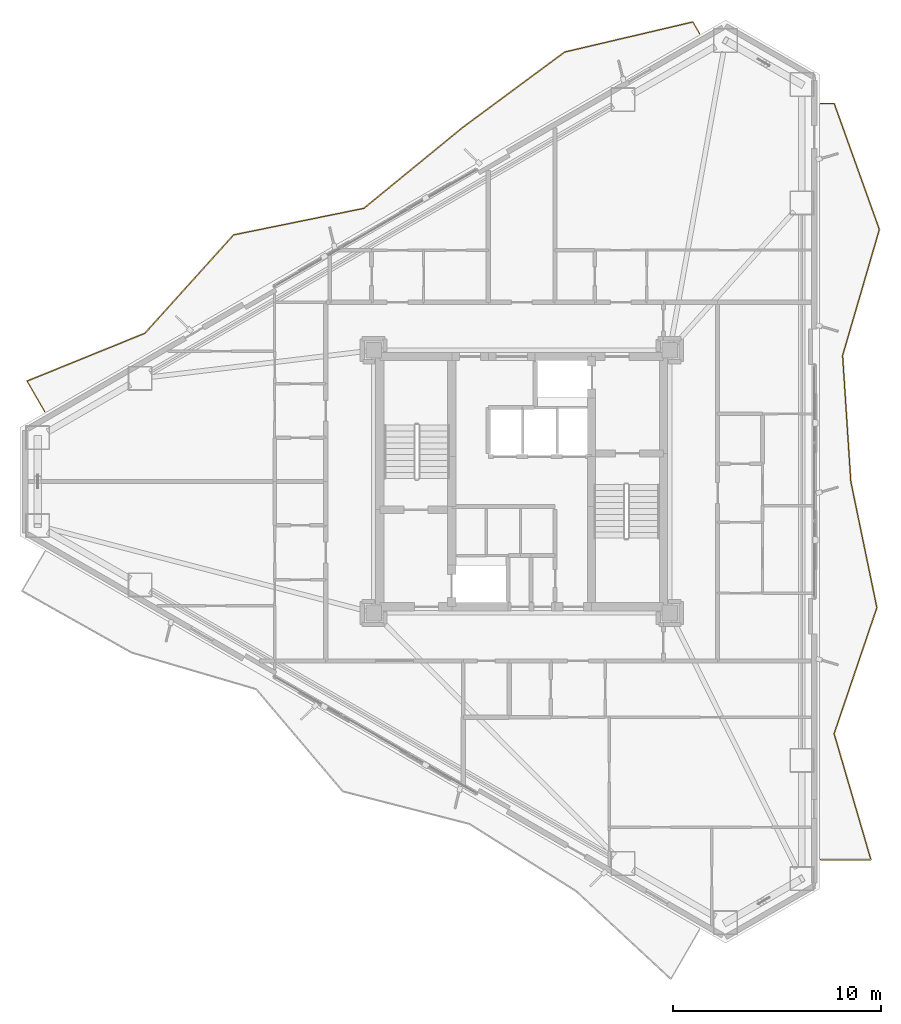
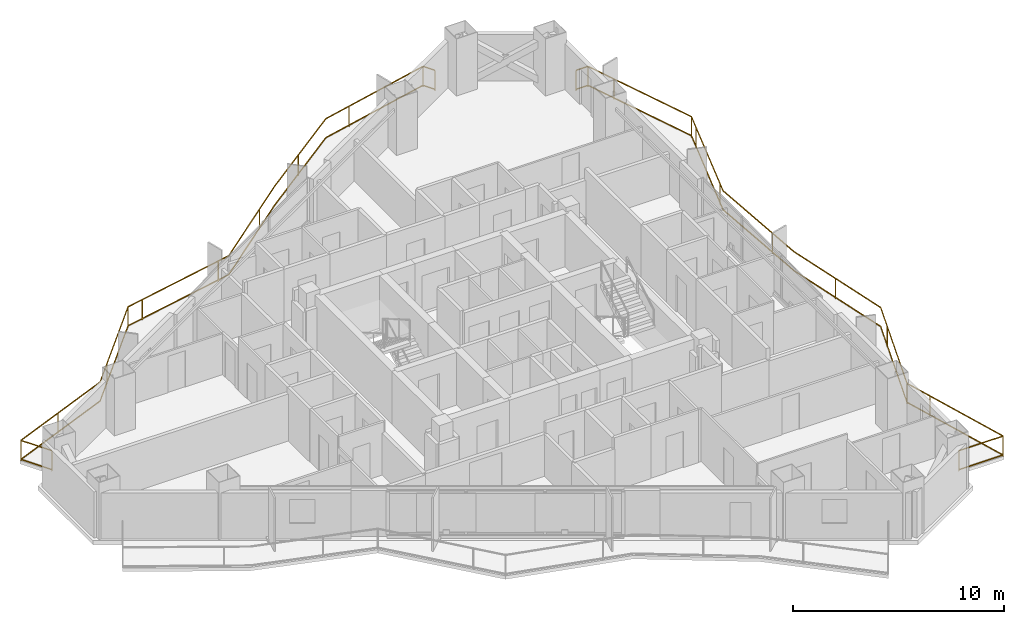
# One storey, part 22 of 22: 2 railings.
"""IFC4 building model written with IfcOpenShell, lengths in metres."""

from ifc_helpers import new_model, si_unit, direction, frame, origin, origin_2d, place, context, subcontext, project, spatial, rectangle, extrude, material, type_object, element, save


model = new_model("IFC4")

# Units and contexts
model_context = context("Model", 3, precision=1e-05, world=origin(), true_north=direction((0.0, 1.0)))
body_context = subcontext(model_context, "Body", "Model", "MODEL_VIEW")
ifc_project = project(units=[si_unit("LENGTHUNIT", "METRE"), si_unit("AREAUNIT", "SQUARE_METRE"), si_unit("VOLUMEUNIT", "CUBIC_METRE"), si_unit("PLANEANGLEUNIT", "RADIAN"), si_unit("MASSUNIT", "GRAM", prefix="KILO")], contexts=[model_context])

# Site, building, storey
site_placement = place(None, origin())
site = spatial("IfcSite", under=ifc_project, at=site_placement, CompositionType="ELEMENT")
building_placement = place(site_placement, origin())
building = spatial("IfcBuilding", under=site, at=building_placement, Name="Mersakhor Tower and Convention Hall", CompositionType="ELEMENT")
storey_placement = place(building_placement, frame((0.0, 0.0, 103.199951171875)))
storey = spatial("IfcBuildingStorey", under=building, at=storey_placement, Name="L28", CompositionType="ELEMENT", Elevation=103.199951171875)

# Railings
ifc_material = material(Name="Powder-coated galvanised steel and laminated glass balustrade", Category="steel")
railing_type = type_object("IfcRailingType", Name="RL-BAL-1200", PredefinedType="BALUSTRADE", material=ifc_material)
railing_1_placement = place(storey_placement, frame((37.541259765625, 48.2333984375, 0.0)))
element("IfcRailing", 1, at=railing_1_placement, inside=storey, type_object=railing_type, Name="L28 Sinusoidal Balcony Balustrade F1", PredefinedType="BALUSTRADE", context=body_context, shape_type="SweptSolid", body=[
    extrude(rectangle(XDim=0.048095703125, YDim=0.048095703125, at=origin_2d()), frame((0.0, 0.0, 1.17578125), z_axis=(-0.49989585183, 0.866085525409, 0.0), x_axis=(-0.866085525409, -0.49989585183, 0.0)), (0.0, 0.0, 1.0), 0.650146484375),
    extrude(rectangle(XDim=0.048095703125, YDim=0.048095703125, at=origin_2d()), frame((0.0, 0.0, 0.080078125), z_axis=(-0.49989585183, 0.866085525409, 0.0), x_axis=(-0.866085525409, -0.49989585183, 0.0)), (0.0, 0.0, 1.0), 0.650146484375),
    extrude(rectangle(XDim=0.048095703125, YDim=0.048095703125, at=origin_2d()), frame((-0.324951171875, 0.56298828125, 1.17578125), z_axis=(-0.97355185743, -0.228466148245, 0.0), x_axis=(0.228466148245, -0.97355185743, 0.0)), (0.0, 0.0, 1.0), 6.3154296875),
    extrude(rectangle(XDim=0.048095703125, YDim=0.048095703125, at=origin_2d()), frame((-0.324951171875, 0.56298828125, 0.080078125), z_axis=(-0.97355185743, -0.228466148245, 0.0), x_axis=(0.228466148245, -0.97355185743, 0.0)), (0.0, 0.0, 1.0), 6.3154296875),
    extrude(rectangle(XDim=0.048095703125, YDim=0.048095703125, at=origin_2d()), frame((-6.473388671875, -0.8798828125, 1.17578125), z_axis=(-0.804059393295, -0.594548982048, 0.0), x_axis=(0.594548982048, -0.804059393295, 0.0)), (0.0, 0.0, 1.0), 6.085205078125),
    extrude(rectangle(XDim=0.048095703125, YDim=0.048095703125, at=origin_2d()), frame((-6.473388671875, -0.8798828125, 0.080078125), z_axis=(-0.804059393295, -0.594548982048, 0.0), x_axis=(0.594548982048, -0.804059393295, 0.0)), (0.0, 0.0, 1.0), 6.085205078125),
    extrude(rectangle(XDim=0.048095703125, YDim=0.048095703125, at=origin_2d()), frame((-11.3662109375, -4.497802734375, 1.17578125), z_axis=(-0.773987480996, -0.633200899605, 0.0), x_axis=(0.633200899605, -0.773987480996, 0.0)), (0.0, 0.0, 1.0), 6.126708984375),
    extrude(rectangle(XDim=0.048095703125, YDim=0.048095703125, at=origin_2d()), frame((-11.3662109375, -4.497802734375, 0.080078125), z_axis=(-0.773987480996, -0.633200899605, 0.0), x_axis=(0.633200899605, -0.773987480996, 0.0)), (0.0, 0.0, 1.0), 6.126708984375),
    extrude(rectangle(XDim=0.048095703125, YDim=0.048095703125, at=origin_2d()), frame((-16.108154296875, -8.377197265625, 1.17578125), z_axis=(-0.979861287663, -0.199679385362, 0.0), x_axis=(0.199679385362, -0.979861287663, 0.0)), (0.0, 0.0, 1.0), 6.375),
    extrude(rectangle(XDim=0.048095703125, YDim=0.048095703125, at=origin_2d()), frame((-16.108154296875, -8.377197265625, 0.080078125), z_axis=(-0.979861287663, -0.199679385362, 0.0), x_axis=(0.199679385362, -0.979861287663, 0.0)), (0.0, 0.0, 1.0), 6.375),
    extrude(rectangle(XDim=0.048095703125, YDim=0.048095703125, at=origin_2d()), frame((-22.354736328125, -9.650146484375, 1.17578125), z_axis=(-0.66963295377, -0.742692202211, 0.0), x_axis=(0.742692202211, -0.66963295377, 0.0)), (0.0, 0.0, 1.0), 6.35595703125),
    extrude(rectangle(XDim=0.048095703125, YDim=0.048095703125, at=origin_2d()), frame((-22.354736328125, -9.650146484375, 0.080078125), z_axis=(-0.66963295377, -0.742692202211, 0.0), x_axis=(0.742692202211, -0.66963295377, 0.0)), (0.0, 0.0, 1.0), 6.35595703125),
    extrude(rectangle(XDim=0.048095703125, YDim=0.048095703125, at=origin_2d()), frame((-26.61083984375, -14.37060546875, 1.17578125), z_axis=(-0.926578103575, -0.376102403575, 0.0), x_axis=(0.376102403575, -0.926578103575, 0.0)), (0.0, 0.0, 1.0), 6.1044921875),
    extrude(rectangle(XDim=0.048095703125, YDim=0.048095703125, at=origin_2d()), frame((-26.61083984375, -14.37060546875, 0.080078125), z_axis=(-0.926578103575, -0.376102403575, 0.0), x_axis=(0.376102403575, -0.926578103575, 0.0)), (0.0, 0.0, 1.0), 6.1044921875),
    extrude(rectangle(XDim=0.048095703125, YDim=0.048095703125, at=origin_2d()), frame((-32.26708984375, -16.66650390625, 1.17578125), z_axis=(0.499954529098, -0.86605165483, 0.0), x_axis=(0.86605165483, 0.499954529098, 0.0)), (0.0, 0.0, 1.0), 1.699951171875),
    extrude(rectangle(XDim=0.048095703125, YDim=0.048095703125, at=origin_2d()), frame((-32.26708984375, -16.66650390625, 0.080078125), z_axis=(0.499954529098, -0.86605165483, 0.0), x_axis=(0.86605165483, 0.499954529098, 0.0)), (0.0, 0.0, 1.0), 1.699951171875),
    extrude(rectangle(XDim=0.0419921875, YDim=0.0419921875, at=origin_2d()), origin(), (0.0, 0.0, 1.0), 1.15185546875),
    extrude(rectangle(XDim=0.0419921875, YDim=0.0419921875, at=origin_2d()), frame((-0.324951171875, 0.56298828125, 0.0)), (0.0, 0.0, 1.0), 1.15185546875),
    extrude(rectangle(XDim=0.0419921875, YDim=0.0419921875, at=origin_2d()), frame((-4.998046875, -0.53369140625, 0.0)), (0.0, 0.0, 1.0), 1.15185546875),
    extrude(rectangle(XDim=0.0419921875, YDim=0.0419921875, at=origin_2d()), frame((-9.1142578125, -2.832763671875, 0.0)), (0.0, 0.0, 1.0), 1.15185546875),
    extrude(rectangle(XDim=0.0419921875, YDim=0.0419921875, at=origin_2d()), frame((-12.913818359375, -5.763916015625, 0.0)), (0.0, 0.0, 1.0), 1.15185546875),
    extrude(rectangle(XDim=0.0419921875, YDim=0.0419921875, at=origin_2d()), frame((-16.767333984375, -8.511474609375, 0.0)), (0.0, 0.0, 1.0), 1.15185546875),
    extrude(rectangle(XDim=0.0419921875, YDim=0.0419921875, at=origin_2d()), frame((-21.470703125, -9.469970703125, 0.0)), (0.0, 0.0, 1.0), 1.15185546875),
    extrude(rectangle(XDim=0.0419921875, YDim=0.0419921875, at=origin_2d()), frame((-22.354736328125, -9.650146484375, 0.0)), (0.0, 0.0, 1.0), 1.15185546875),
    extrude(rectangle(XDim=0.0419921875, YDim=0.0419921875, at=origin_2d()), frame((-25.569091796875, -13.215087890625, 0.0)), (0.0, 0.0, 1.0), 1.15185546875),
    extrude(rectangle(XDim=0.0419921875, YDim=0.0419921875, at=origin_2d()), frame((-29.61669921875, -15.5908203125, 0.0)), (0.0, 0.0, 1.0), 1.15185546875),
    extrude(rectangle(XDim=0.0419921875, YDim=0.0419921875, at=origin_2d()), frame((-32.26708984375, -16.66650390625, 0.0)), (0.0, 0.0, 1.0), 1.15185546875),
    extrude(rectangle(XDim=0.0419921875, YDim=0.0419921875, at=origin_2d()), frame((-31.417236328125, -18.138671875, 0.0)), (0.0, 0.0, 1.0), 1.15185546875),
])
railing_2_placement = place(storey_placement, frame((43.334716796875, 8.611328125, 0.0)))
element("IfcRailing", 2, at=railing_2_placement, inside=storey, type_object=railing_type, Name="L28 Sinusoidal Balcony Balustrade F2", PredefinedType="BALUSTRADE", context=body_context, shape_type="SweptSolid", body=[
    extrude(rectangle(XDim=0.048095703125, YDim=0.048095703125, at=origin_2d()), frame((0.0, 0.0, 1.17578125), z_axis=(1.0, 0.0, 0.0), x_axis=(0.0, 1.0, 0.0)), (0.0, 0.0, 1.0), 2.415283203125),
    extrude(rectangle(XDim=0.048095703125, YDim=0.048095703125, at=origin_2d()), frame((0.0, 0.0, 0.080078125), z_axis=(1.0, 0.0, 0.0), x_axis=(0.0, 1.0, 0.0)), (0.0, 0.0, 1.0), 2.415283203125),
    extrude(rectangle(XDim=0.048095703125, YDim=0.048095703125, at=origin_2d()), frame((2.415283203125, 0.0, 1.17578125), z_axis=(-0.280281300323, 0.959917909349, 0.0), x_axis=(-0.959917909349, -0.280281300323, 0.0)), (0.0, 0.0, 1.0), 6.298583984375),
    extrude(rectangle(XDim=0.048095703125, YDim=0.048095703125, at=origin_2d()), frame((2.415283203125, 0.0, 0.080078125), z_axis=(-0.280281300323, 0.959917909349, 0.0), x_axis=(-0.959917909349, -0.280281300323, 0.0)), (0.0, 0.0, 1.0), 6.298583984375),
    extrude(rectangle(XDim=0.048095703125, YDim=0.048095703125, at=origin_2d()), frame((0.64990234375, 6.046142578125, 1.17578125), z_axis=(0.321270627055, 0.946987425572, 0.0), x_axis=(-0.946987425572, 0.321270627055, 0.0)), (0.0, 0.0, 1.0), 6.384765625),
    extrude(rectangle(XDim=0.048095703125, YDim=0.048095703125, at=origin_2d()), frame((0.64990234375, 6.046142578125, 0.080078125), z_axis=(0.321270627055, 0.946987425572, 0.0), x_axis=(-0.946987425572, 0.321270627055, 0.0)), (0.0, 0.0, 1.0), 6.384765625),
    extrude(rectangle(XDim=0.048095703125, YDim=0.048095703125, at=origin_2d()), frame((2.701171875, 12.092529296875, 1.17578125), z_axis=(-0.202537609976, 0.979274484782, 0.0), x_axis=(-0.979274484782, -0.202537609976, 0.0)), (0.0, 0.0, 1.0), 6.174072265625),
    extrude(rectangle(XDim=0.048095703125, YDim=0.048095703125, at=origin_2d()), frame((2.701171875, 12.092529296875, 0.080078125), z_axis=(-0.202537609976, 0.979274484782, 0.0), x_axis=(-0.979274484782, -0.202537609976, 0.0)), (0.0, 0.0, 1.0), 6.174072265625),
    extrude(rectangle(XDim=0.048095703125, YDim=0.048095703125, at=origin_2d()), frame((1.45068359375, 18.138671875, 1.17578125), z_axis=(-0.064914280211, 0.997890843842, 0.0), x_axis=(-0.997890843842, -0.064914280211, 0.0)), (0.0, 0.0, 1.0), 6.058837890625),
    extrude(rectangle(XDim=0.048095703125, YDim=0.048095703125, at=origin_2d()), frame((1.45068359375, 18.138671875, 0.080078125), z_axis=(-0.064914280211, 0.997890843842, 0.0), x_axis=(-0.997890843842, -0.064914280211, 0.0)), (0.0, 0.0, 1.0), 6.058837890625),
    extrude(rectangle(XDim=0.048095703125, YDim=0.048095703125, at=origin_2d()), frame((1.057373046875, 24.184814453125, 1.17578125), z_axis=(0.279842208474, 0.960046008458, 0.0), x_axis=(-0.960046008458, 0.279842208474, 0.0)), (0.0, 0.0, 1.0), 6.298095703125),
    extrude(rectangle(XDim=0.048095703125, YDim=0.048095703125, at=origin_2d()), frame((1.057373046875, 24.184814453125, 0.080078125), z_axis=(0.279842208474, 0.960046008458, 0.0), x_axis=(-0.960046008458, 0.279842208474, 0.0)), (0.0, 0.0, 1.0), 6.298095703125),
    extrude(rectangle(XDim=0.048095703125, YDim=0.048095703125, at=origin_2d()), frame((2.81982421875, 30.231201171875, 1.17578125), z_axis=(-0.337494341887, 0.941327556802, 0.0), x_axis=(-0.941327556802, -0.337494341887, 0.0)), (0.0, 0.0, 1.0), 6.423095703125),
    extrude(rectangle(XDim=0.048095703125, YDim=0.048095703125, at=origin_2d()), frame((2.81982421875, 30.231201171875, 0.080078125), z_axis=(-0.337494341887, 0.941327556802, 0.0), x_axis=(-0.941327556802, -0.337494341887, 0.0)), (0.0, 0.0, 1.0), 6.423095703125),
    extrude(rectangle(XDim=0.048095703125, YDim=0.048095703125, at=origin_2d()), frame((0.652099609375, 36.27734375, 1.17578125), z_axis=(-1.0, 0.0, 0.0), x_axis=(0.0, -1.0, 0.0)), (0.0, 0.0, 1.0), 0.652099609375),
    extrude(rectangle(XDim=0.048095703125, YDim=0.048095703125, at=origin_2d()), frame((0.652099609375, 36.27734375, 0.080078125), z_axis=(-1.0, 0.0, 0.0), x_axis=(0.0, -1.0, 0.0)), (0.0, 0.0, 1.0), 0.652099609375),
    extrude(rectangle(XDim=0.0419921875, YDim=0.0419921875, at=origin_2d()), origin(), (0.0, 0.0, 1.0), 1.15185546875),
    extrude(rectangle(XDim=0.0419921875, YDim=0.0419921875, at=origin_2d()), frame((2.415283203125, 0.0, 0.0)), (0.0, 0.0, 1.0), 1.15185546875),
    extrude(rectangle(XDim=0.0419921875, YDim=0.0419921875, at=origin_2d()), frame((1.06982421875, 4.607666015625, 0.0)), (0.0, 0.0, 1.0), 1.15185546875),
    extrude(rectangle(XDim=0.0419921875, YDim=0.0419921875, at=origin_2d()), frame((0.64990234375, 6.046142578125, 0.0)), (0.0, 0.0, 1.0), 1.15185546875),
    extrude(rectangle(XDim=0.0419921875, YDim=0.0419921875, at=origin_2d()), frame((2.19189453125, 10.591796875, 0.0)), (0.0, 0.0, 1.0), 1.15185546875),
    extrude(rectangle(XDim=0.0419921875, YDim=0.0419921875, at=origin_2d()), frame((2.050048828125, 15.240966796875, 0.0)), (0.0, 0.0, 1.0), 1.15185546875),
    extrude(rectangle(XDim=0.0419921875, YDim=0.0419921875, at=origin_2d()), frame((1.3310546875, 19.975830078125, 0.0)), (0.0, 0.0, 1.0), 1.15185546875),
    extrude(rectangle(XDim=0.0419921875, YDim=0.0419921875, at=origin_2d()), frame((1.22021484375, 24.74365234375, 0.0)), (0.0, 0.0, 1.0), 1.15185546875),
    extrude(rectangle(XDim=0.0419921875, YDim=0.0419921875, at=origin_2d()), frame((2.5634765625, 29.351806640625, 0.0)), (0.0, 0.0, 1.0), 1.15185546875),
    extrude(rectangle(XDim=0.0419921875, YDim=0.0419921875, at=origin_2d()), frame((2.81982421875, 30.231201171875, 0.0)), (0.0, 0.0, 1.0), 1.15185546875),
    extrude(rectangle(XDim=0.0419921875, YDim=0.0419921875, at=origin_2d()), frame((1.199951171875, 34.74951171875, 0.0)), (0.0, 0.0, 1.0), 1.15185546875),
    extrude(rectangle(XDim=0.0419921875, YDim=0.0419921875, at=origin_2d()), frame((0.652099609375, 36.27734375, 0.0)), (0.0, 0.0, 1.0), 1.15185546875),
    extrude(rectangle(XDim=0.0419921875, YDim=0.0419921875, at=origin_2d()), frame((0.0, 36.27734375, 0.0)), (0.0, 0.0, 1.0), 1.15185546875),
])

save(model, "model.ifc")
